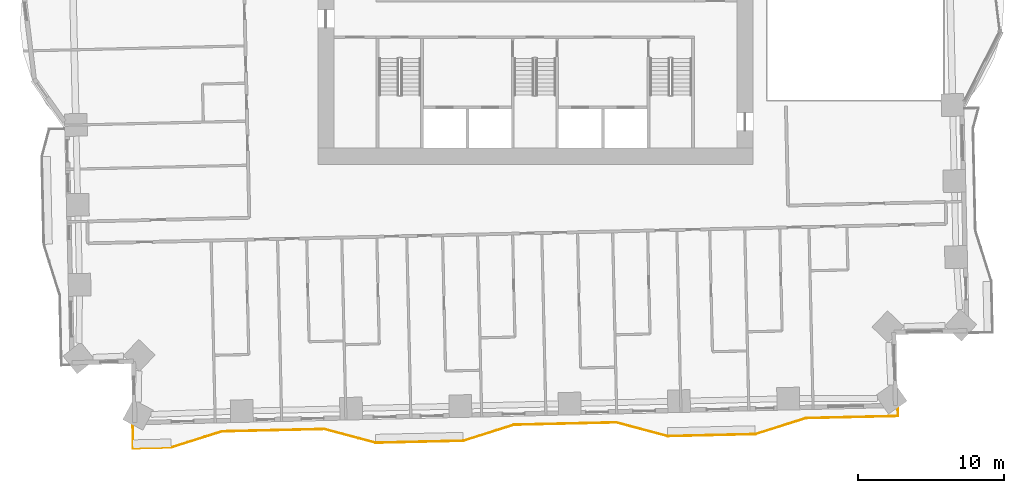
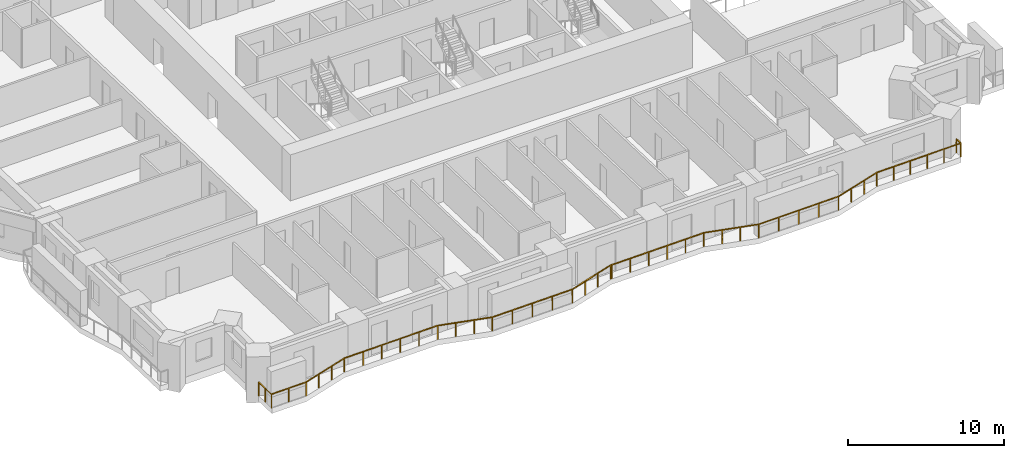
# One storey, part 14 of 16: 1 railing.
"""IFC4 building model written with IfcOpenShell, lengths in metres."""

from ifc_helpers import new_model, si_unit, direction, frame, origin, origin_2d, place, context, subcontext, project, spatial, rectangle, extrude, material, type_object, element, save


model = new_model("IFC4")

# Units and contexts
model_context = context("Model", 3, precision=1e-05, world=origin(), true_north=direction((0.0, 1.0)))
body_context = subcontext(model_context, "Body", "Model", "MODEL_VIEW")
ifc_project = project(units=[si_unit("LENGTHUNIT", "METRE"), si_unit("AREAUNIT", "SQUARE_METRE"), si_unit("VOLUMEUNIT", "CUBIC_METRE"), si_unit("PLANEANGLEUNIT", "RADIAN"), si_unit("MASSUNIT", "GRAM", prefix="KILO")], contexts=[model_context])

# Site, building, storey
site_placement = place(None, origin())
site = spatial("IfcSite", under=ifc_project, at=site_placement, CompositionType="ELEMENT")
building_placement = place(site_placement, origin())
building = spatial("IfcBuilding", under=site, at=building_placement, Name="Mangrove Gate Tower", CompositionType="ELEMENT")
storey_placement = place(building_placement, frame((0.0, 0.0, 41.300048828125)))
storey = spatial("IfcBuildingStorey", under=building, at=storey_placement, Name="L09", CompositionType="ELEMENT", Elevation=41.300048828125)

# Railing
ifc_material = material(Name="Stainless steel grade 316 with laminated glass infill", Category="steel")
railing_type = type_object("IfcRailingType", Name="Balcony guard 1100", PredefinedType="GUARDRAIL", material=ifc_material)
railing_placement = place(storey_placement, frame((-27.568115234375, -29.785888671875, 0.0)))
element("IfcRailing", 1, at=railing_placement, inside=storey, type_object=railing_type, Name="GUARD L09 S1", PredefinedType="GUARDRAIL", context=body_context, shape_type="SweptSolid", body=[
    extrude(rectangle(XDim=0.048095703125, YDim=0.048095703125, at=origin_2d()), frame((0.0, 0.0, 1.076171875), z_axis=(0.022469742996, -0.999747523453, 0.0), x_axis=(0.999747523453, 0.022469742996, 0.0)), (0.0, 0.0, 1.0), 1.564697265625),
    extrude(rectangle(XDim=0.048095703125, YDim=0.048095703125, at=origin_2d()), frame((0.03515625, -1.564208984375, 1.076171875), z_axis=(0.999741690068, 0.022727805448, 0.0), x_axis=(-0.022727805448, 0.999741690068, 0.0)), (0.0, 0.0, 1.0), 2.599609375),
    extrude(rectangle(XDim=0.048095703125, YDim=0.048095703125, at=origin_2d()), frame((2.634033203125, -1.505126953125, 1.076171875), z_axis=(0.953721256752, 0.300692142264, 0.0), x_axis=(-0.300692142264, 0.953721256752, 0.0)), (0.0, 0.0, 1.0), 3.644775390625),
    extrude(rectangle(XDim=0.048095703125, YDim=0.048095703125, at=origin_2d()), frame((6.110107421875, -0.4091796875, 1.076171875), z_axis=(0.999741475346, 0.022737248567, 0.0), x_axis=(-0.022737248567, 0.999741475346, 0.0)), (0.0, 0.0, 1.0), 7.000732421875),
    extrude(rectangle(XDim=0.048095703125, YDim=0.048095703125, at=origin_2d()), frame((13.109130859375, -0.25, 1.076171875), z_axis=(0.966300501857, -0.257416666341, 0.0), x_axis=(0.257416666341, 0.966300501857, 0.0)), (0.0, 0.0, 1.0), 3.644775390625),
    extrude(rectangle(XDim=0.048095703125, YDim=0.048095703125, at=origin_2d()), frame((16.631103515625, -1.188232421875, 1.076171875), z_axis=(0.999742171567, 0.022706615587, 0.0), x_axis=(-0.022706615587, 0.999742171567, 0.0)), (0.0, 0.0, 1.0), 5.99951171875),
    extrude(rectangle(XDim=0.048095703125, YDim=0.048095703125, at=origin_2d()), frame((22.629150390625, -1.052001953125, 1.076171875), z_axis=(0.953644393819, 0.300935823952, 0.0), x_axis=(-0.300935823952, 0.953644393819, 0.0)), (0.0, 0.0, 1.0), 3.64501953125),
    extrude(rectangle(XDim=0.048095703125, YDim=0.048095703125, at=origin_2d()), frame((26.105224609375, 0.044921875, 1.076171875), z_axis=(0.999808759986, 0.019556161565, 0.0), x_axis=(-0.019556161565, 0.999808759986, 0.0)), (0.0, 0.0, 1.0), 0.099853515625),
    extrude(rectangle(XDim=0.048095703125, YDim=0.048095703125, at=origin_2d()), frame((26.205078125, 0.046875, 1.076171875), z_axis=(0.999741140915, 0.022751948524, 0.0), x_axis=(-0.022751948524, 0.999741140915, 0.0)), (0.0, 0.0, 1.0), 6.899658203125),
    extrude(rectangle(XDim=0.048095703125, YDim=0.048095703125, at=origin_2d()), frame((33.10302734375, 0.203857421875, 1.076171875), z_axis=(0.966339333168, -0.25727085566, 0.0), x_axis=(0.25727085566, 0.966339333168, 0.0)), (0.0, 0.0, 1.0), 3.64599609375),
    extrude(rectangle(XDim=0.048095703125, YDim=0.048095703125, at=origin_2d()), frame((36.626220703125, -0.734130859375, 1.076171875), z_axis=(0.999743073592, 0.022666865795, 0.0), x_axis=(-0.022666865795, 0.999743073592, 0.0)), (0.0, 0.0, 1.0), 5.999267578125),
    extrude(rectangle(XDim=0.048095703125, YDim=0.048095703125, at=origin_2d()), frame((42.6240234375, -0.59814453125, 1.076171875), z_axis=(0.953644393819, 0.300935823952, 0.0), x_axis=(-0.300935823952, 0.953644393819, 0.0)), (0.0, 0.0, 1.0), 3.64501953125),
    extrude(rectangle(XDim=0.048095703125, YDim=0.048095703125, at=origin_2d()), frame((46.10009765625, 0.498779296875, 1.076171875), z_axis=(0.999742095575, 0.022709961159, 0.0), x_axis=(-0.022709961159, 0.999742095575, 0.0)), (0.0, 0.0, 1.0), 6.2998046875),
    extrude(rectangle(XDim=0.048095703125, YDim=0.048095703125, at=origin_2d()), frame((52.398193359375, 0.641845703125, 1.076171875), z_axis=(-0.021899083205, 0.999760186322, 0.0), x_axis=(-0.999760186322, -0.021899083205, 0.0)), (0.0, 0.0, 1.0), 0.54638671875),
    extrude(rectangle(XDim=0.0419921875, YDim=0.0419921875, at=origin_2d()), origin(), (0.0, 0.0, 1.0), 1.052001953125),
    extrude(rectangle(XDim=0.0419921875, YDim=0.0419921875, at=origin_2d()), frame((0.017578125, -0.7822265625, 0.0)), (0.0, 0.0, 1.0), 1.052001953125),
    extrude(rectangle(XDim=0.0419921875, YDim=0.0419921875, at=origin_2d()), frame((0.03515625, -1.564208984375, 0.0)), (0.0, 0.0, 1.0), 1.052001953125),
    extrude(rectangle(XDim=0.0419921875, YDim=0.0419921875, at=origin_2d()), frame((1.33447265625, -1.53466796875, 0.0)), (0.0, 0.0, 1.0), 1.052001953125),
    extrude(rectangle(XDim=0.0419921875, YDim=0.0419921875, at=origin_2d()), frame((2.634033203125, -1.505126953125, 0.0)), (0.0, 0.0, 1.0), 1.052001953125),
    extrude(rectangle(XDim=0.0419921875, YDim=0.0419921875, at=origin_2d()), frame((3.792724609375, -1.139892578125, 0.0)), (0.0, 0.0, 1.0), 1.052001953125),
    extrude(rectangle(XDim=0.0419921875, YDim=0.0419921875, at=origin_2d()), frame((4.951416015625, -0.7744140625, 0.0)), (0.0, 0.0, 1.0), 1.052001953125),
    extrude(rectangle(XDim=0.0419921875, YDim=0.0419921875, at=origin_2d()), frame((6.110107421875, -0.4091796875, 0.0)), (0.0, 0.0, 1.0), 1.052001953125),
    extrude(rectangle(XDim=0.0419921875, YDim=0.0419921875, at=origin_2d()), frame((7.510009765625, -0.37744140625, 0.0)), (0.0, 0.0, 1.0), 1.052001953125),
    extrude(rectangle(XDim=0.0419921875, YDim=0.0419921875, at=origin_2d()), frame((8.90966796875, -0.345458984375, 0.0)), (0.0, 0.0, 1.0), 1.052001953125),
    extrude(rectangle(XDim=0.0419921875, YDim=0.0419921875, at=origin_2d()), frame((10.3095703125, -0.313720703125, 0.0)), (0.0, 0.0, 1.0), 1.052001953125),
    extrude(rectangle(XDim=0.0419921875, YDim=0.0419921875, at=origin_2d()), frame((11.709228515625, -0.28173828125, 0.0)), (0.0, 0.0, 1.0), 1.052001953125),
    extrude(rectangle(XDim=0.0419921875, YDim=0.0419921875, at=origin_2d()), frame((13.109130859375, -0.25, 0.0)), (0.0, 0.0, 1.0), 1.052001953125),
    extrude(rectangle(XDim=0.0419921875, YDim=0.0419921875, at=origin_2d()), frame((14.283203125, -0.562744140625, 0.0)), (0.0, 0.0, 1.0), 1.052001953125),
    extrude(rectangle(XDim=0.0419921875, YDim=0.0419921875, at=origin_2d()), frame((15.45703125, -0.87548828125, 0.0)), (0.0, 0.0, 1.0), 1.052001953125),
    extrude(rectangle(XDim=0.0419921875, YDim=0.0419921875, at=origin_2d()), frame((16.631103515625, -1.188232421875, 0.0)), (0.0, 0.0, 1.0), 1.052001953125),
    extrude(rectangle(XDim=0.0419921875, YDim=0.0419921875, at=origin_2d()), frame((18.130615234375, -1.154296875, 0.0)), (0.0, 0.0, 1.0), 1.052001953125),
    extrude(rectangle(XDim=0.0419921875, YDim=0.0419921875, at=origin_2d()), frame((19.630126953125, -1.1201171875, 0.0)), (0.0, 0.0, 1.0), 1.052001953125),
    extrude(rectangle(XDim=0.0419921875, YDim=0.0419921875, at=origin_2d()), frame((21.129638671875, -1.0859375, 0.0)), (0.0, 0.0, 1.0), 1.052001953125),
    extrude(rectangle(XDim=0.0419921875, YDim=0.0419921875, at=origin_2d()), frame((22.629150390625, -1.052001953125, 0.0)), (0.0, 0.0, 1.0), 1.052001953125),
    extrude(rectangle(XDim=0.0419921875, YDim=0.0419921875, at=origin_2d()), frame((23.787841796875, -0.686279296875, 0.0)), (0.0, 0.0, 1.0), 1.052001953125),
    extrude(rectangle(XDim=0.0419921875, YDim=0.0419921875, at=origin_2d()), frame((24.946533203125, -0.32080078125, 0.0)), (0.0, 0.0, 1.0), 1.052001953125),
    extrude(rectangle(XDim=0.0419921875, YDim=0.0419921875, at=origin_2d()), frame((26.105224609375, 0.044921875, 0.0)), (0.0, 0.0, 1.0), 1.052001953125),
    extrude(rectangle(XDim=0.0419921875, YDim=0.0419921875, at=origin_2d()), frame((26.205078125, 0.046875, 0.0)), (0.0, 0.0, 1.0), 1.052001953125),
    extrude(rectangle(XDim=0.0419921875, YDim=0.0419921875, at=origin_2d()), frame((27.584716796875, 0.078369140625, 0.0)), (0.0, 0.0, 1.0), 1.052001953125),
    extrude(rectangle(XDim=0.0419921875, YDim=0.0419921875, at=origin_2d()), frame((28.96435546875, 0.109619140625, 0.0)), (0.0, 0.0, 1.0), 1.052001953125),
    extrude(rectangle(XDim=0.0419921875, YDim=0.0419921875, at=origin_2d()), frame((30.34375, 0.14111328125, 0.0)), (0.0, 0.0, 1.0), 1.052001953125),
    extrude(rectangle(XDim=0.0419921875, YDim=0.0419921875, at=origin_2d()), frame((31.723388671875, 0.17236328125, 0.0)), (0.0, 0.0, 1.0), 1.052001953125),
    extrude(rectangle(XDim=0.0419921875, YDim=0.0419921875, at=origin_2d()), frame((33.10302734375, 0.203857421875, 0.0)), (0.0, 0.0, 1.0), 1.052001953125),
    extrude(rectangle(XDim=0.0419921875, YDim=0.0419921875, at=origin_2d()), frame((34.27734375, -0.10888671875, 0.0)), (0.0, 0.0, 1.0), 1.052001953125),
    extrude(rectangle(XDim=0.0419921875, YDim=0.0419921875, at=origin_2d()), frame((35.451904296875, -0.42138671875, 0.0)), (0.0, 0.0, 1.0), 1.052001953125),
    extrude(rectangle(XDim=0.0419921875, YDim=0.0419921875, at=origin_2d()), frame((36.626220703125, -0.734130859375, 0.0)), (0.0, 0.0, 1.0), 1.052001953125),
    extrude(rectangle(XDim=0.0419921875, YDim=0.0419921875, at=origin_2d()), frame((38.125732421875, -0.7001953125, 0.0)), (0.0, 0.0, 1.0), 1.052001953125),
    extrude(rectangle(XDim=0.0419921875, YDim=0.0419921875, at=origin_2d()), frame((39.625, -0.666015625, 0.0)), (0.0, 0.0, 1.0), 1.052001953125),
    extrude(rectangle(XDim=0.0419921875, YDim=0.0419921875, at=origin_2d()), frame((41.12451171875, -0.632080078125, 0.0)), (0.0, 0.0, 1.0), 1.052001953125),
    extrude(rectangle(XDim=0.0419921875, YDim=0.0419921875, at=origin_2d()), frame((42.6240234375, -0.59814453125, 0.0)), (0.0, 0.0, 1.0), 1.052001953125),
    extrude(rectangle(XDim=0.0419921875, YDim=0.0419921875, at=origin_2d()), frame((43.78271484375, -0.232421875, 0.0)), (0.0, 0.0, 1.0), 1.052001953125),
    extrude(rectangle(XDim=0.0419921875, YDim=0.0419921875, at=origin_2d()), frame((44.94140625, 0.133056640625, 0.0)), (0.0, 0.0, 1.0), 1.052001953125),
    extrude(rectangle(XDim=0.0419921875, YDim=0.0419921875, at=origin_2d()), frame((46.10009765625, 0.498779296875, 0.0)), (0.0, 0.0, 1.0), 1.052001953125),
    extrude(rectangle(XDim=0.0419921875, YDim=0.0419921875, at=origin_2d()), frame((47.359619140625, 0.52734375, 0.0)), (0.0, 0.0, 1.0), 1.052001953125),
    extrude(rectangle(XDim=0.0419921875, YDim=0.0419921875, at=origin_2d()), frame((48.619384765625, 0.555908203125, 0.0)), (0.0, 0.0, 1.0), 1.052001953125),
    extrude(rectangle(XDim=0.0419921875, YDim=0.0419921875, at=origin_2d()), frame((49.87890625, 0.584716796875, 0.0)), (0.0, 0.0, 1.0), 1.052001953125),
    extrude(rectangle(XDim=0.0419921875, YDim=0.0419921875, at=origin_2d()), frame((51.138671875, 0.61328125, 0.0)), (0.0, 0.0, 1.0), 1.052001953125),
    extrude(rectangle(XDim=0.0419921875, YDim=0.0419921875, at=origin_2d()), frame((52.398193359375, 0.641845703125, 0.0)), (0.0, 0.0, 1.0), 1.052001953125),
    extrude(rectangle(XDim=0.0419921875, YDim=0.0419921875, at=origin_2d()), frame((52.38623046875, 1.18798828125, 0.0)), (0.0, 0.0, 1.0), 1.052001953125),
])

save(model, "model.ifc")
